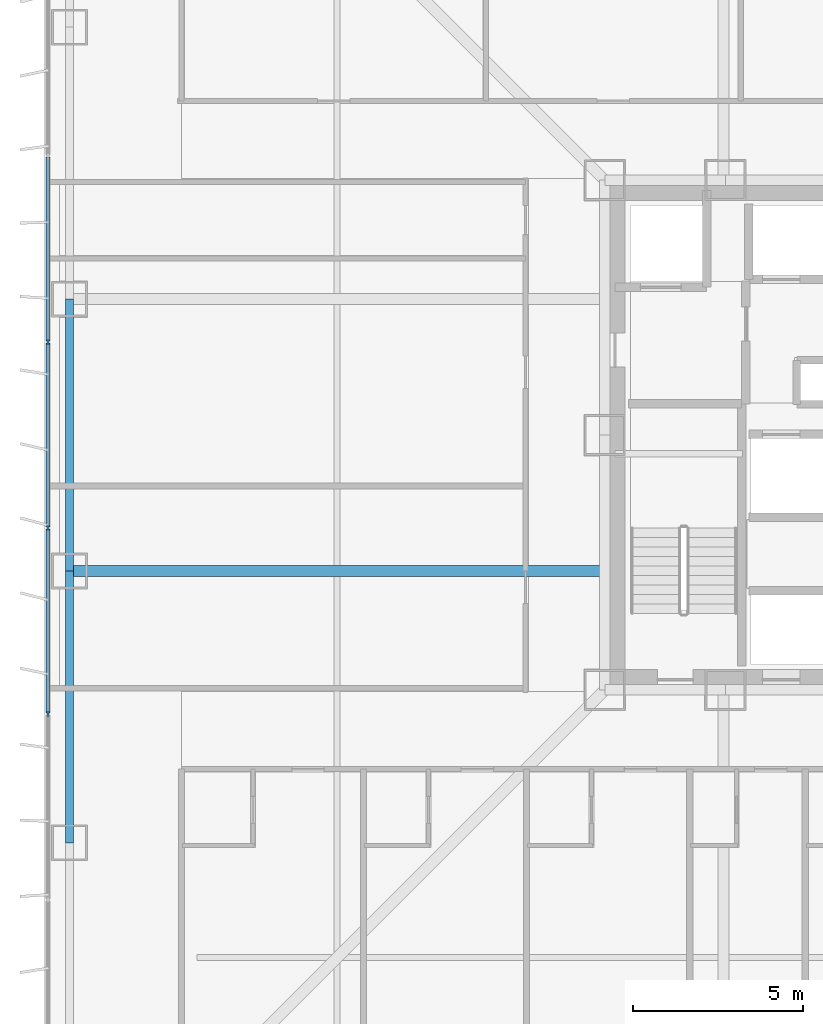
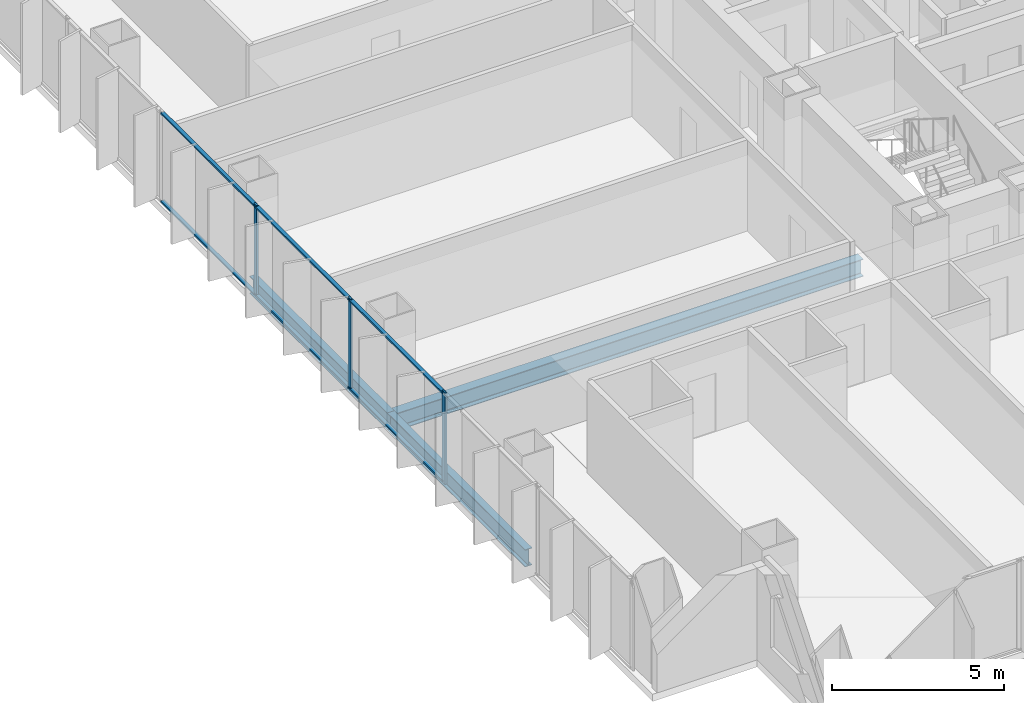
# One storey, part 4 of 19: 9 members, 3 beams, 1 element without a shape of its own.
"""IFC4 building model written with IfcOpenShell, lengths in metres."""

import ifcopenshell
import ifcopenshell.guid

model = None  # the IFC model being written
_history = None  # IfcOwnerHistory: only IFC2X3 demands one
_inside = {}  # id of a spatial element -> (the spatial element, [elements in it])
_under = {}  # id of a project, library or spatial element -> (it, [spatial elements below it])
_declared = {}  # id of a project -> (the project, [libraries it declares])
_typed = {}  # id of a type object -> (the type object, [elements of that type])
_made_of = {}  # id of a material, layer set ... -> (it, [elements and type objects made of it])


def new_model(schema):
    """Start an empty IFC model of exactly this schema.

    Asked for "IFC4X3", IfcOpenShell would pick the latest addendum, in which some entities
    have other attributes; the version numbers below select the first issue.
    IFC2X3 requires an IfcOwnerHistory on every rooted entity: one is made here for all.
    """
    global model, _history
    if schema == "IFC4X3":
        model = ifcopenshell.file(schema_version=(4, 3, 0, 0))
    else:
        model = ifcopenshell.file(schema=schema)
    _inside.clear()
    _under.clear()
    _declared.clear()
    _typed.clear()
    _made_of.clear()
    _history = None
    if model.schema == "IFC2X3":
        org = make("IfcOrganization", Name="unknown")
        user = make(
            "IfcPersonAndOrganization",
            ThePerson=make("IfcPerson", FamilyName="unknown"),
            TheOrganization=org,
        )
        app = make(
            "IfcApplication",
            ApplicationDeveloper=org,
            Version="unknown",
            ApplicationFullName="unknown",
            ApplicationIdentifier="unknown",
        )
        _history = make(
            "IfcOwnerHistory",
            OwningUser=user,
            OwningApplication=app,
            ChangeAction="ADDED",
            CreationDate=0,
        )
    return model


def make(cls, **values):
    """One entity of the class cls with the attributes given. An attribute that is None is left unset."""
    return model.create_entity(
        cls, **{name: value for name, value in values.items() if value is not None}
    )


def rooted(cls, **values):
    """An entity with a GlobalId (a new one), such as an element, a storey or a relation."""
    return make(cls, GlobalId=ifcopenshell.guid.new(), OwnerHistory=_history, **values)


def si_unit(unit_type, name, prefix=None):
    """IfcSIUnit, for example si_unit("LENGTHUNIT", "METRE", prefix="MILLI")."""
    return make("IfcSIUnit", UnitType=unit_type, Prefix=prefix, Name=name)


def assignment(units):
    """IfcUnitAssignment: the units of a project."""
    return None if units is None else make("IfcUnitAssignment", Units=units)


def point(xyz):
    """IfcCartesianPoint."""
    return None if xyz is None else make("IfcCartesianPoint", Coordinates=xyz)


def direction(xyz):
    """IfcDirection."""
    return None if xyz is None else make("IfcDirection", DirectionRatios=xyz)


def frame(location, z_axis=None, x_axis=None):
    """IfcAxis2Placement3D, a coordinate frame: its origin and axes. An axis left out is left unset."""
    return make(
        "IfcAxis2Placement3D",
        Location=point(location),
        Axis=direction(z_axis),
        RefDirection=direction(x_axis),
    )


def frame_2d(location, x_axis=None):
    """IfcAxis2Placement2D, a coordinate frame in the plane: its origin and x axis."""
    return make(
        "IfcAxis2Placement2D", Location=point(location), RefDirection=direction(x_axis)
    )


def origin():
    """The frame at (0, 0, 0) with its axes left unset."""
    return frame((0.0, 0.0, 0.0))


def origin_2d():
    """The frame at (0, 0) in the plane with its x axis left unset."""
    return frame_2d((0.0, 0.0))


def place(relative_to, where):
    """IfcLocalPlacement: puts the frame where relative to a parent placement (None: the world)."""
    return make(
        "IfcLocalPlacement", PlacementRelTo=relative_to, RelativePlacement=where
    )


def context(
    kind, dimensions, precision=None, world=None, true_north=None, identifier=None
):
    """IfcGeometricRepresentationContext, for example the 3D "Model" context."""
    return make(
        "IfcGeometricRepresentationContext",
        ContextIdentifier=identifier,
        ContextType=kind,
        CoordinateSpaceDimension=dimensions,
        Precision=precision,
        WorldCoordinateSystem=world,
        TrueNorth=true_north,
    )


def subcontext(parent, identifier, kind, view, scale=None):
    """IfcGeometricRepresentationSubContext, for example "Body" below "Model"."""
    return make(
        "IfcGeometricRepresentationSubContext",
        ContextIdentifier=identifier,
        ContextType=kind,
        ParentContext=parent,
        TargetScale=scale,
        TargetView=view,
    )


def project(units=None, contexts=None):
    """IfcProject with its units and contexts."""
    return rooted(
        "IfcProject",
        Name="project",
        RepresentationContexts=contexts,
        UnitsInContext=assignment(units),
    )


def spatial(cls, under=None, at=None, **own):
    """A site, building, storey or space (cls), placed at a placement, below another one or the project."""
    s = rooted(cls, ObjectPlacement=at, **own)
    if under is not None:
        _under.setdefault(under.id(), (under, []))[1].append(s)
    return s


def profile(cls, at=None, kind="AREA", **sizes):
    """A parametric profile (cls). Its sizes go by their IFC names, for example OverallWidth=200.0."""
    return make(cls, ProfileType=kind, Position=at, **sizes)


def rectangle(**sizes):
    """IfcRectangleProfileDef."""
    return profile("IfcRectangleProfileDef", **sizes)


def i_section(**sizes):
    """IfcIShapeProfileDef."""
    return profile("IfcIShapeProfileDef", **sizes)


def extrude(swept, where, along, depth):
    """IfcExtrudedAreaSolid: the profile swept, set in the frame where, extruded along a direction by depth."""
    return make(
        "IfcExtrudedAreaSolid",
        SweptArea=swept,
        Position=where,
        ExtrudedDirection=direction(along),
        Depth=depth,
    )


def shape(context_of_items, identifier, shape_type, items):
    """IfcShapeRepresentation: the items that make up one representation, for example the "Body"."""
    return make(
        "IfcShapeRepresentation",
        ContextOfItems=context_of_items,
        RepresentationIdentifier=identifier,
        RepresentationType=shape_type,
        Items=items,
    )


def material(Name=None, Category=None):
    """IfcMaterial."""
    return make("IfcMaterial", Name=Name, Category=Category)


def layer(
    of_material, thickness, ventilated=None, Name=None, Category=None, Priority=None
):
    """IfcMaterialLayer: one layer of a wall or slab, of a material (None: an air gap)."""
    return make(
        "IfcMaterialLayer",
        Material=of_material,
        LayerThickness=thickness,
        IsVentilated=ventilated,
        Name=Name,
        Category=Category,
        Priority=Priority,
    )


def layer_set(layers, Name=None):
    """IfcMaterialLayerSet."""
    return make("IfcMaterialLayerSet", MaterialLayers=layers, LayerSetName=Name)


def material_profile(
    of_material, cross_section, Name=None, Category=None, Priority=None
):
    """IfcMaterialProfile: a cross section and its material."""
    return make(
        "IfcMaterialProfile",
        Name=Name,
        Material=of_material,
        Profile=cross_section,
        Priority=Priority,
        Category=Category,
    )


def profile_set(profiles, Name=None, composite=None):
    """IfcMaterialProfileSet."""
    return make(
        "IfcMaterialProfileSet",
        Name=Name,
        MaterialProfiles=profiles,
        CompositeProfile=composite,
    )


def made_of(thing, what):
    """Note that an element or type object is made of a material, layer set ...; save() writes the relation."""
    if what is not None:
        _made_of.setdefault(what.id(), (what, []))[1].append(thing)
    return thing


def type_object(cls, material=None, **own):
    """A type object (cls), such as IfcWallType, which elements share."""
    return made_of(rooted(cls, **own), material)


def element(
    cls,
    number,
    at=None,
    inside=None,
    cuts=None,
    type_object=None,
    material=None,
    context=None,
    identifier="Body",
    shape_type=None,
    held_by="IfcProductDefinitionShape",
    body=None,
    shapes=None,
    **own,
):
    """One element of the class cls, such as IfcWall. Its Tag is "e" and its number.

    at: its placement. inside: the storey or other place that contains it. cuts: it is an
    opening in that element (IfcRelVoidsElement). A single representation is given by context,
    identifier, shape_type and body (its items); several are given by shapes. held_by: the class
    of the entity that holds the representations. save() writes the other relations.
    """
    e = rooted(cls, Tag="e%d" % number, ObjectPlacement=at, **own)
    if body is not None:
        shapes = [shape(context, identifier, shape_type, body)]
    if shapes is not None:
        e.Representation = make(held_by, Representations=shapes)
    if inside is not None:
        _inside.setdefault(inside.id(), (inside, []))[1].append(e)
    if cuts is not None:
        rooted(
            "IfcRelVoidsElement", RelatingBuildingElement=cuts, RelatedOpeningElement=e
        )
    if type_object is not None:
        _typed.setdefault(type_object.id(), (type_object, []))[1].append(e)
    return made_of(e, material)


def aggregate(whole, parts):
    """IfcRelAggregates: a whole, such as a stair, and the parts it consists of."""
    return rooted("IfcRelAggregates", RelatingObject=whole, RelatedObjects=parts)


def save(model, path):
    """Write the relations noted so far, then the file.

    IfcRelAggregates (storeys below a building ...), IfcRelContainedInSpatialStructure (elements
    in a storey), IfcRelDefinesByType, IfcRelAssociatesMaterial and IfcRelDeclares: one each for
    every whole, place, type object, material and project.
    """
    for whole, parts in _under.values():
        aggregate(whole, parts)
    for where, things in _inside.values():
        rooted(
            "IfcRelContainedInSpatialStructure",
            RelatedElements=things,
            RelatingStructure=where,
        )
    for kind, things in _typed.values():
        rooted("IfcRelDefinesByType", RelatedObjects=things, RelatingType=kind)
    for what, things in _made_of.values():
        rooted("IfcRelAssociatesMaterial", RelatedObjects=things, RelatingMaterial=what)
    for by, libraries in _declared.values():
        rooted("IfcRelDeclares", RelatingContext=by, RelatedDefinitions=libraries)
    model.write(path)


model = new_model("IFC4")

# Units and contexts
model_context = context("Model", 3, precision=1e-05, world=origin(), true_north=direction((0.0, 1.0)))
body_context = subcontext(model_context, "Body", "Model", "MODEL_VIEW")
ifc_project = project(units=[si_unit("LENGTHUNIT", "METRE"), si_unit("AREAUNIT", "SQUARE_METRE"), si_unit("VOLUMEUNIT", "CUBIC_METRE"), si_unit("PLANEANGLEUNIT", "RADIAN"), si_unit("MASSUNIT", "GRAM", prefix="KILO")], contexts=[model_context])

# Site, building, storey
site_placement = place(None, origin())
site = spatial("IfcSite", under=ifc_project, at=site_placement, CompositionType="ELEMENT")
building_placement = place(site_placement, origin())
building = spatial("IfcBuilding", under=site, at=building_placement, Name="Trevonay Congress Spire", CompositionType="ELEMENT")
storey_placement = place(building_placement, frame((0.0, 0.0, 58.5)))
storey = spatial("IfcBuildingStorey", under=building, at=storey_placement, Name="L14", CompositionType="ELEMENT", Elevation=58.5)

# Beams
ifc_material_1 = material(Name="Steel ASTM A572 Grade 50", Category="steel")
ifc_material_profile_1 = material_profile(ifc_material_1, i_section(OverallWidth=0.324951171875, OverallDepth=0.615966796875, WebThickness=0.013916015625, FlangeThickness=0.021484375, FilletRadius=0.01806640625, at=origin_2d()), Name="W610x174")
ifc_profile_set_1 = profile_set([ifc_material_profile_1], Name="Steel ASTM A572 Grade 50")
beam_type_1 = type_object("IfcBeamType", Name="BM-GIRD-W610X174", PredefinedType="BEAM", material=ifc_profile_set_1)
beam_placement = place(storey_placement, frame((-7.5, -4.0, -0.55810546875), z_axis=(-1.0, 0.0, 0.0), x_axis=(0.0, -1.0, 0.0)))
element("IfcBeam", 1, at=beam_placement, inside=storey, type_object=beam_type_1, Name="L14 structural beam BM-L14-GW-M", PredefinedType="BEAM", context=body_context, shape_type="SweptSolid", body=[
    extrude(i_section(OverallWidth=0.324951171875, OverallDepth=0.615966796875, WebThickness=0.013916015625, FlangeThickness=0.021484375, FilletRadius=0.01806640625, at=origin_2d()), origin(), (0.0, 0.0, 1.0), 15.75),
])
ifc_material_profile_2 = material_profile(ifc_material_1, i_section(OverallWidth=0.22998046875, OverallDepth=0.616943359375, WebThickness=0.01318359375, FlangeThickness=0.022216796875, FilletRadius=0.01611328125, at=origin_2d()), Name="W610x140")
ifc_profile_set_2 = profile_set([ifc_material_profile_2], Name="Steel ASTM A572 Grade 50")
beam_type_2 = type_object("IfcBeamType", Name="BM-RING-W610X140", PredefinedType="BEAM", material=ifc_profile_set_2)
for number, where, z_axis, x_axis, name in (
    (2, (-23.25, -12.0, -0.55859375), (0.0, 1.0, 0.0), (-1.0, 0.0, 0.0), "L14 structural beam BM-L14-PW2"),
    (3, (-23.25, -4.0, -0.55859375), (0.0, 1.0, 0.0), (-1.0, 0.0, 0.0), "L14 structural beam BM-L14-PW3"),
):
    element("IfcBeam", number, at=place(storey_placement, frame(where, z_axis=z_axis, x_axis=x_axis)), inside=storey, type_object=beam_type_2, Name=name, PredefinedType="BEAM", context=body_context, shape_type="SweptSolid", body=[
        extrude(i_section(OverallWidth=0.22998046875, OverallDepth=0.616943359375, WebThickness=0.01318359375, FlangeThickness=0.022216796875, FilletRadius=0.01611328125, at=origin_2d()), origin(), (0.0, 0.0, 1.0), 8.0),
    ])

# Curtain wall, members
ifc_material_2 = material(Name="Pale Anodised Aluminium EN AW-6063-T6", Category="aluminium")
ifc_layer = layer(ifc_material_2, 0.179931640625, Name="Pale Anodised Aluminium EN AW-6063-T6")
ifc_layer_set = layer_set([ifc_layer], Name="Pale Anodised Aluminium EN AW-6063-T6")
curtain_wall_type = type_object("IfcCurtainWallType", Name="CW-SYS02-HOTEL-PALE-METAL", PredefinedType="NOTDEFINED", material=ifc_layer_set)
curtain_wall_placement = place(storey_placement, origin())
curtain_wall = element("IfcCurtainWall", 4, at=curtain_wall_placement, inside=storey, type_object=curtain_wall_type, Name="L14 W unitised curtain wall", PredefinedType="NOTDEFINED")
ifc_material_profile_3 = material_profile(ifc_material_2, rectangle(XDim=0.06005859375, YDim=0.159912109375, at=origin_2d()), Name="CW-MULLION-160-ALUMINIUM")
ifc_profile_set_3 = profile_set([ifc_material_profile_3], Name="Pale Anodised Aluminium EN AW-6063-T6")
member_type_1 = type_object("IfcMemberType", Name="CW-MULLION-160-ALUMINIUM", PredefinedType="MULLION", material=ifc_profile_set_3)
member_1_placement = place(storey_placement, frame((-23.8798828125, -8.20703125, 0.0), z_axis=(0.0, 0.0, 1.0), x_axis=(-1.0, 0.0, 0.0)))
member_1 = element("IfcMember", 5, at=member_1_placement, type_object=member_type_1, Name="CW02 mullion 3", PredefinedType="MULLION", context=body_context, shape_type="SweptSolid", body=[
    extrude(rectangle(XDim=0.06005859375, YDim=0.159912109375, at=origin_2d()), origin(), (0.0, 0.0, 1.0), 3.25),
])
member_2_placement = place(storey_placement, frame((-23.8798828125, -2.735595703125, 0.0), z_axis=(0.0, 0.0, 1.0), x_axis=(-1.0, 0.0, 0.0)))
member_2 = element("IfcMember", 6, at=member_2_placement, type_object=member_type_1, Name="CW02 mullion 4", PredefinedType="MULLION", context=body_context, shape_type="SweptSolid", body=[
    extrude(rectangle(XDim=0.06005859375, YDim=0.159912109375, at=origin_2d()), origin(), (0.0, 0.0, 1.0), 3.25),
])
member_3_placement = place(storey_placement, frame((-23.8798828125, 2.735595703125, 0.0), z_axis=(0.0, 0.0, 1.0), x_axis=(-1.0, 0.0, 0.0)))
member_3 = element("IfcMember", 7, at=member_3_placement, type_object=member_type_1, Name="CW02 mullion 5", PredefinedType="MULLION", context=body_context, shape_type="SweptSolid", body=[
    extrude(rectangle(XDim=0.06005859375, YDim=0.159912109375, at=origin_2d()), origin(), (0.0, 0.0, 1.0), 3.25),
])
ifc_material_profile_4 = material_profile(ifc_material_2, rectangle(XDim=0.1201171875, YDim=0.06005859375, at=origin_2d()), Name="CW-TRANSOM-120-ALUMINIUM")
ifc_profile_set_4 = profile_set([ifc_material_profile_4], Name="Pale Anodised Aluminium EN AW-6063-T6")
member_type_2 = type_object("IfcMemberType", Name="CW-TRANSOM-120-ALUMINIUM", PredefinedType="USERDEFINED", material=ifc_profile_set_4)
member_4_placement = place(storey_placement, frame((-23.8798828125, -8.17724609375, 0.06005859375), z_axis=(0.0, 1.0, 0.0), x_axis=(-1.0, 0.0, 0.0)))
member_4 = element("IfcMember", 8, at=member_4_placement, type_object=member_type_2, Name="CW02 transom 3.1", ObjectType="TRANSOM", PredefinedType="USERDEFINED", context=body_context, shape_type="SweptSolid", body=[
    extrude(rectangle(XDim=0.1201171875, YDim=0.06005859375, at=origin_2d()), origin(), (0.0, 0.0, 1.0), 5.41162109375),
])
member_5_placement = place(storey_placement, frame((-23.8798828125, -8.17724609375, 3.18994140625), z_axis=(0.0, 1.0, 0.0), x_axis=(-1.0, 0.0, 0.0)))
member_5 = element("IfcMember", 9, at=member_5_placement, type_object=member_type_2, Name="CW02 transom 3.2", ObjectType="TRANSOM", PredefinedType="USERDEFINED", context=body_context, shape_type="SweptSolid", body=[
    extrude(rectangle(XDim=0.1201171875, YDim=0.06005859375, at=origin_2d()), origin(), (0.0, 0.0, 1.0), 5.41162109375),
])
member_6_placement = place(storey_placement, frame((-23.8798828125, -2.705810546875, 0.06005859375), z_axis=(0.0, 1.0, 0.0), x_axis=(-1.0, 0.0, 0.0)))
member_6 = element("IfcMember", 10, at=member_6_placement, type_object=member_type_2, Name="CW02 transom 4.1", ObjectType="TRANSOM", PredefinedType="USERDEFINED", context=body_context, shape_type="SweptSolid", body=[
    extrude(rectangle(XDim=0.1201171875, YDim=0.06005859375, at=origin_2d()), origin(), (0.0, 0.0, 1.0), 5.41162109375),
])
member_7_placement = place(storey_placement, frame((-23.8798828125, -2.705810546875, 3.18994140625), z_axis=(0.0, 1.0, 0.0), x_axis=(-1.0, 0.0, 0.0)))
member_7 = element("IfcMember", 11, at=member_7_placement, type_object=member_type_2, Name="CW02 transom 4.2", ObjectType="TRANSOM", PredefinedType="USERDEFINED", context=body_context, shape_type="SweptSolid", body=[
    extrude(rectangle(XDim=0.1201171875, YDim=0.06005859375, at=origin_2d()), origin(), (0.0, 0.0, 1.0), 5.41162109375),
])
member_8_placement = place(storey_placement, frame((-23.8798828125, 2.765625, 0.06005859375), z_axis=(0.0, 1.0, 0.0), x_axis=(-1.0, 0.0, 0.0)))
member_8 = element("IfcMember", 12, at=member_8_placement, type_object=member_type_2, Name="CW02 transom 5.1", ObjectType="TRANSOM", PredefinedType="USERDEFINED", context=body_context, shape_type="SweptSolid", body=[
    extrude(rectangle(XDim=0.1201171875, YDim=0.06005859375, at=origin_2d()), origin(), (0.0, 0.0, 1.0), 5.41162109375),
])
member_9_placement = place(storey_placement, frame((-23.8798828125, 2.765625, 3.18994140625), z_axis=(0.0, 1.0, 0.0), x_axis=(-1.0, 0.0, 0.0)))
member_9 = element("IfcMember", 13, at=member_9_placement, type_object=member_type_2, Name="CW02 transom 5.2", ObjectType="TRANSOM", PredefinedType="USERDEFINED", context=body_context, shape_type="SweptSolid", body=[
    extrude(rectangle(XDim=0.1201171875, YDim=0.06005859375, at=origin_2d()), origin(), (0.0, 0.0, 1.0), 5.41162109375),
])
aggregate(curtain_wall, [member_1, member_2, member_3, member_4, member_5, member_6, member_7, member_8, member_9])

save(model, "model.ifc")
